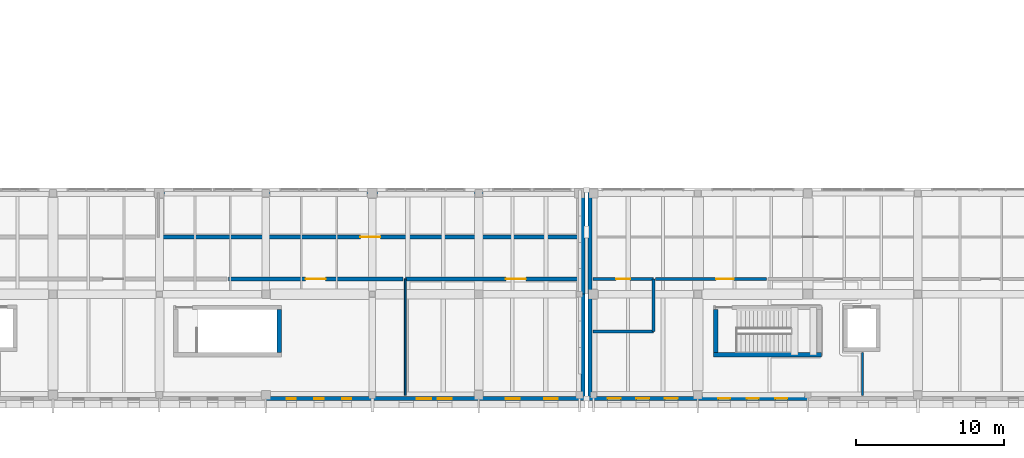
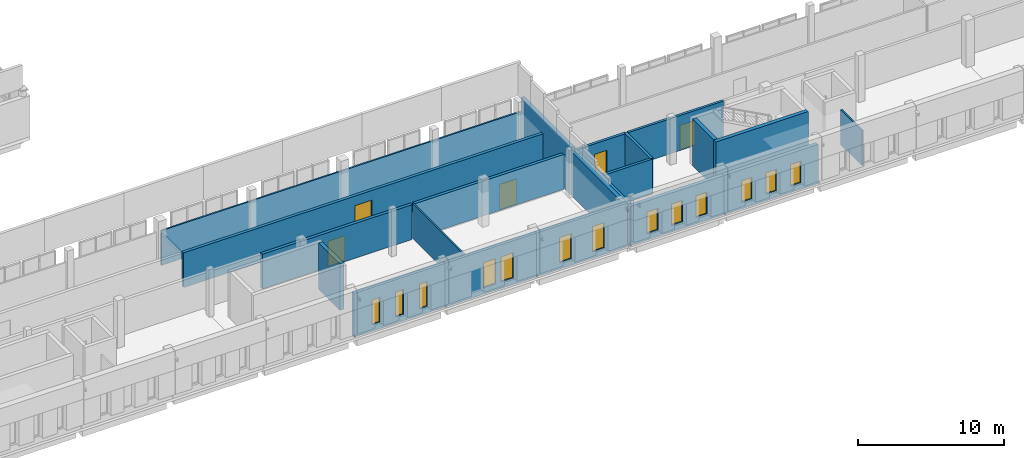
# One storey, part 54 of 76: 22 walls, 13 windows, 5 doors, 18 openings.
"""IFC4 building model written with IfcOpenShell, lengths in metres."""

from ifc_helpers import new_model, si_unit, direction, frame, frame_2d, origin, place, context, subcontext, project, spatial, rectangle, extrude, material, layer, layer_set, type_object, element, fill, save


model = new_model("IFC4")

# Units and contexts
model_context = context("Model", 3, precision=1e-05, world=origin(), true_north=direction((0.0, 1.0)))
body_context = subcontext(model_context, "Body", "Model", "MODEL_VIEW")
ifc_project = project(units=[si_unit("LENGTHUNIT", "METRE"), si_unit("AREAUNIT", "SQUARE_METRE"), si_unit("VOLUMEUNIT", "CUBIC_METRE"), si_unit("PLANEANGLEUNIT", "RADIAN"), si_unit("MASSUNIT", "GRAM", prefix="KILO")], contexts=[model_context])

# Site, building, storey
site_placement = place(None, origin())
site = spatial("IfcSite", under=ifc_project, at=site_placement, CompositionType="ELEMENT")
building_placement = place(site_placement, origin())
building = spatial("IfcBuilding", under=site, at=building_placement, Name="Vardoun Plaza Health Centre", CompositionType="ELEMENT")
storey_placement = place(building_placement, frame((0.0, 0.0, 4.5)))
storey = spatial("IfcBuildingStorey", under=building, at=storey_placement, Name="L01", CompositionType="ELEMENT", Elevation=4.5)

# Walls
ifc_material_1 = material(Name="Concrete C40/50", Category="concrete")
ifc_layer_1 = layer(ifc_material_1, 0.300048828125)
ifc_layer_set_1 = layer_set([ifc_layer_1], Name="Concrete C40/50")
wall_type_1 = type_object("IfcWallType", Name="SW-01", PredefinedType="SHEAR", material=ifc_layer_set_1)
wall_1_placement = place(storey_placement, frame((84.800048828125, 10.64990234375, 0.0), z_axis=(0.0, 0.0, 1.0), x_axis=(0.0, -1.0, 0.0)))
element("IfcWall", 1, at=wall_1_placement, inside=storey, type_object=wall_type_1, Name="Core C7 L01 Shear Wall E", PredefinedType="SHEAR", context=body_context, shape_type="SweptSolid", body=[
    extrude(rectangle(XDim=2.89990234375, YDim=0.300048828125, at=frame_2d((1.449951171875, 0.0))), origin(), (0.0, 0.0, 1.0), 3.885009765625),
])
wall_2_placement = place(storey_placement, frame((121.449951171875, 7.60009765625, 0.0), z_axis=(0.0, 0.0, 1.0), x_axis=(-1.0, 0.0, 0.0)))
element("IfcWall", 2, at=wall_2_placement, inside=storey, type_object=wall_type_1, Name="Core C8 L01 Shear Wall S", PredefinedType="SHEAR", context=body_context, shape_type="SweptSolid", body=[
    extrude(rectangle(XDim=7.300048828125, YDim=0.300048828125, at=frame_2d((3.64990234375, 0.0))), origin(), (0.0, 0.0, 1.0), 3.905029296875),
])
wall_3_placement = place(storey_placement, frame((114.300048828125, 7.75, 0.0), z_axis=(0.0, 0.0, 1.0), x_axis=(0.0, 1.0, 0.0)))
element("IfcWall", 3, at=wall_3_placement, inside=storey, type_object=wall_type_1, Name="Core C8 L01 Shear Wall W", PredefinedType="SHEAR", context=body_context, shape_type="SweptSolid", body=[
    extrude(rectangle(XDim=2.89990234375, YDim=0.300048828125, at=frame_2d((1.449951171875, 0.0))), origin(), (0.0, 0.0, 1.0), 3.905029296875),
])
ifc_material_2 = material(Name="Pale Limestone Concrete C35/45", Category="masonry")
ifc_layer_2 = layer(ifc_material_2, 0.280029296875)
ifc_layer_set_2 = layer_set([ifc_layer_2], Name="Pale Limestone Concrete C35/45")
wall_type_2 = type_object("IfcWallType", Name="EW-05", PredefinedType="STANDARD", material=ifc_layer_set_2)
wall_4_placement = place(storey_placement, frame((105.340087890625, 18.6201171875, 0.0), z_axis=(0.0, 0.0, 1.0), x_axis=(0.0, -1.0, 0.0)))
element("IfcWall", 4, at=wall_4_placement, inside=storey, type_object=wall_type_2, Name="V4 L01 Exterior Wall EW-V4-336", PredefinedType="STANDARD", context=body_context, shape_type="SweptSolid", body=[
    extrude(rectangle(XDim=6.920166015625, YDim=0.280029296875, at=frame_2d((3.4599609375, 0.0))), origin(), (0.0, 0.0, 1.0), 3.9951171875),
])
wall_5_placement = place(storey_placement, frame((105.340087890625, 11.699951171875, 0.0), z_axis=(0.0, 0.0, 1.0), x_axis=(0.0, -1.0, 0.0)))
element("IfcWall", 5, at=wall_5_placement, inside=storey, type_object=wall_type_2, Name="V4 L01 Exterior Wall EW-V4-337", PredefinedType="STANDARD", context=body_context, shape_type="SweptSolid", body=[
    extrude(rectangle(XDim=6.919921875, YDim=0.280029296875, at=frame_2d((3.4599609375, 0.0))), origin(), (0.0, 0.0, 1.0), 3.65576171875),
])

# Wall, openings, windows
wall_6_placement = place(storey_placement, frame((105.47998046875, 4.639892578125, 0.0), z_axis=(0.0, 0.0, 1.0), x_axis=(-1.0, 0.0, 0.0)))
wall_6 = element("IfcWall", 6, at=wall_6_placement, inside=storey, type_object=wall_type_2, Name="V4 L01 Exterior Wall EW-V4-338", PredefinedType="STANDARD", context=body_context, shape_type="SweptSolid", body=[
    extrude(rectangle(XDim=7.199951171875, YDim=0.280029296875, at=frame_2d((3.60009765625, 0.0))), origin(), (0.0, 0.0, 1.0), 3.65576171875),
])
opening_1_placement = place(wall_6_placement, frame((1.843994140625, 0.0, 0.550048828125)))
opening_1 = element("IfcOpeningElement", 7, at=opening_1_placement, cuts=wall_6, Name="Opening W-19-006", PredefinedType="OPENING", context=body_context, shape_type="SweptSolid", body=[
    extrude(rectangle(XDim=0.919921875, YDim=2.10009765625, at=frame_2d((0.4599609375, 1.050048828125))), frame((0.0, 0.14013671875, 0.0), z_axis=(0.0, -1.0, 0.0), x_axis=(1.0, 0.0, 0.0)), (0.0, 0.0, 1.0), 0.280029296875),
])
opening_2_placement = place(wall_6_placement, frame((4.43603515625, 0.0, 0.550048828125)))
opening_2 = element("IfcOpeningElement", 8, at=opening_2_placement, cuts=wall_6, Name="Opening W-19-007", PredefinedType="OPENING", context=body_context, shape_type="SweptSolid", body=[
    extrude(rectangle(XDim=0.919921875, YDim=2.10009765625, at=frame_2d((0.4599609375, 1.050048828125))), frame((0.0, 0.14013671875, 0.0), z_axis=(0.0, -1.0, 0.0), x_axis=(1.0, 0.0, 0.0)), (0.0, 0.0, 1.0), 0.280029296875),
])
ifc_material_3 = material(Name="Aluminium Alloy EN AW-6063-T6 and Low-E Glass", Category="aluminium")
window_type_1 = type_object("IfcWindowType", Name="W-19", PartitioningType="DOUBLE_PANEL_VERTICAL", PredefinedType="WINDOW", material=ifc_material_3)
window_1_placement = place(opening_1_placement, origin())
window_1 = element("IfcWindow", 9, at=window_1_placement, inside=storey, type_object=window_type_1, Name="V4 L01 Deep-Punched Slot Window W-19-523", OverallHeight=2.10009765625, OverallWidth=0.919921875, PartitioningType="DOUBLE_PANEL_VERTICAL", PredefinedType="WINDOW", context=body_context, shape_type="SweptSolid", body=[
    extrude(rectangle(XDim=0.919921875, YDim=2.10009765625, at=frame_2d((0.4599609375, 1.050048828125))), frame((0.0, 0.030029296875, 0.0), z_axis=(0.0, -1.0, 0.0), x_axis=(1.0, 0.0, 0.0)), (0.0, 0.0, 1.0), 0.06005859375),
])
fill(opening_1, window_1)
window_2_placement = place(opening_2_placement, origin())
window_2 = element("IfcWindow", 10, at=window_2_placement, inside=storey, type_object=window_type_1, Name="V4 L01 Deep-Punched Slot Window W-19-524", OverallHeight=2.10009765625, OverallWidth=0.919921875, PartitioningType="DOUBLE_PANEL_VERTICAL", PredefinedType="WINDOW", context=body_context, shape_type="SweptSolid", body=[
    extrude(rectangle(XDim=0.919921875, YDim=2.10009765625, at=frame_2d((0.4599609375, 1.050048828125))), frame((0.0, 0.030029296875, 0.0), z_axis=(0.0, -1.0, 0.0), x_axis=(1.0, 0.0, 0.0)), (0.0, 0.0, 1.0), 0.06005859375),
])
fill(opening_2, window_2)

wall_7_placement = place(storey_placement, frame((98.280029296875, 4.639892578125, 0.0), z_axis=(0.0, 0.0, 1.0), x_axis=(-1.0, 0.0, 0.0)))
wall_7 = element("IfcWall", 11, at=wall_7_placement, inside=storey, type_object=wall_type_2, Name="V4 L01 Exterior Wall EW-V4-339", PredefinedType="STANDARD", context=body_context, shape_type="SweptSolid", body=[
    extrude(rectangle(XDim=7.199951171875, YDim=0.280029296875, at=frame_2d((3.60009765625, 0.0))), origin(), (0.0, 0.0, 1.0), 3.65576171875),
])
opening_3_placement = place(wall_7_placement, frame((1.823974609375, 0.0, 0.550048828125)))
opening_3 = element("IfcOpeningElement", 12, at=opening_3_placement, cuts=wall_7, Name="Opening W-20-006", PredefinedType="OPENING", context=body_context, shape_type="SweptSolid", body=[
    extrude(rectangle(XDim=0.9599609375, YDim=2.10009765625, at=frame_2d((0.47998046875, 1.050048828125))), frame((0.0, 0.14013671875, 0.0), z_axis=(0.0, -1.0, 0.0), x_axis=(1.0, 0.0, 0.0)), (0.0, 0.0, 1.0), 0.280029296875),
])
opening_4_placement = place(wall_7_placement, frame((3.216064453125, 0.0, 0.550048828125)))
opening_4 = element("IfcOpeningElement", 13, at=opening_4_placement, cuts=wall_7, Name="Opening W-20-007", PredefinedType="OPENING", context=body_context, shape_type="SweptSolid", body=[
    extrude(rectangle(XDim=0.9599609375, YDim=2.10009765625, at=frame_2d((0.47998046875, 1.050048828125))), frame((0.0, 0.14013671875, 0.0), z_axis=(0.0, -1.0, 0.0), x_axis=(1.0, 0.0, 0.0)), (0.0, 0.0, 1.0), 0.280029296875),
])
ifc_material_4 = material(Name="Aluminium Alloy EN AW-6063-T6 and Low-E Glass", Category="aluminium")
window_type_2 = type_object("IfcWindowType", Name="W-20", PartitioningType="DOUBLE_PANEL_VERTICAL", PredefinedType="WINDOW", material=ifc_material_4)
window_3_placement = place(opening_3_placement, origin())
window_3 = element("IfcWindow", 14, at=window_3_placement, inside=storey, type_object=window_type_2, Name="V4 L01 Deep-Punched Slot Window W-20-525", OverallHeight=2.10009765625, OverallWidth=0.9599609375, PartitioningType="DOUBLE_PANEL_VERTICAL", PredefinedType="WINDOW", context=body_context, shape_type="SweptSolid", body=[
    extrude(rectangle(XDim=0.9599609375, YDim=2.10009765625, at=frame_2d((0.47998046875, 1.050048828125))), frame((0.0, 0.030029296875, 0.0), z_axis=(0.0, -1.0, 0.0), x_axis=(1.0, 0.0, 0.0)), (0.0, 0.0, 1.0), 0.06005859375),
])
fill(opening_3, window_3)
window_4_placement = place(opening_4_placement, origin())
window_4 = element("IfcWindow", 15, at=window_4_placement, inside=storey, type_object=window_type_2, Name="V4 L01 Deep-Punched Slot Window W-20-526", OverallHeight=2.10009765625, OverallWidth=0.9599609375, PartitioningType="DOUBLE_PANEL_VERTICAL", PredefinedType="WINDOW", context=body_context, shape_type="SweptSolid", body=[
    extrude(rectangle(XDim=0.9599609375, YDim=2.10009765625, at=frame_2d((0.47998046875, 1.050048828125))), frame((0.0, 0.030029296875, 0.0), z_axis=(0.0, -1.0, 0.0), x_axis=(1.0, 0.0, 0.0)), (0.0, 0.0, 1.0), 0.06005859375),
])
fill(opening_4, window_4)

wall_8_placement = place(storey_placement, frame((91.080078125, 4.639892578125, 0.0), z_axis=(0.0, 0.0, 1.0), x_axis=(-1.0, 0.0, 0.0)))
wall_8 = element("IfcWall", 16, at=wall_8_placement, inside=storey, type_object=wall_type_2, Name="V4 L01 Exterior Wall EW-V4-340", PredefinedType="STANDARD", context=body_context, shape_type="SweptSolid", body=[
    extrude(rectangle(XDim=7.2001953125, YDim=0.280029296875, at=frame_2d((3.60009765625, 0.0))), origin(), (0.0, 0.0, 1.0), 3.65576171875),
])
opening_5_placement = place(wall_8_placement, frame((1.41796875, 0.0, 0.550048828125)))
opening_5 = element("IfcOpeningElement", 17, at=opening_5_placement, cuts=wall_8, Name="Opening W-21-011", PredefinedType="OPENING", context=body_context, shape_type="SweptSolid", body=[
    extrude(rectangle(XDim=0.6201171875, YDim=2.080078125, at=frame_2d((0.31005859375, 1.0400390625))), frame((0.0, 0.14013671875, 0.0), z_axis=(0.0, -1.0, 0.0), x_axis=(1.0, 0.0, 0.0)), (0.0, 0.0, 1.0), 0.280029296875),
])
opening_6_placement = place(wall_8_placement, frame((3.2900390625, 0.0, 0.550048828125)))
opening_6 = element("IfcOpeningElement", 18, at=opening_6_placement, cuts=wall_8, Name="Opening W-21-012", PredefinedType="OPENING", context=body_context, shape_type="SweptSolid", body=[
    extrude(rectangle(XDim=0.6201171875, YDim=2.080078125, at=frame_2d((0.31005859375, 1.0400390625))), frame((0.0, 0.14013671875, 0.0), z_axis=(0.0, -1.0, 0.0), x_axis=(1.0, 0.0, 0.0)), (0.0, 0.0, 1.0), 0.280029296875),
])
opening_7_placement = place(wall_8_placement, frame((5.162109375, 0.0, 0.550048828125)))
opening_7 = element("IfcOpeningElement", 19, at=opening_7_placement, cuts=wall_8, Name="Opening W-21-013", PredefinedType="OPENING", context=body_context, shape_type="SweptSolid", body=[
    extrude(rectangle(XDim=0.6201171875, YDim=2.080078125, at=frame_2d((0.31005859375, 1.0400390625))), frame((0.0, 0.14013671875, 0.0), z_axis=(0.0, -1.0, 0.0), x_axis=(1.0, 0.0, 0.0)), (0.0, 0.0, 1.0), 0.280029296875),
])
ifc_material_5 = material(Name="Aluminium Alloy EN AW-6063-T6 and Low-E Glass", Category="aluminium")
window_type_3 = type_object("IfcWindowType", Name="W-21", PartitioningType="SINGLE_PANEL", PredefinedType="WINDOW", material=ifc_material_5)
window_5_placement = place(opening_5_placement, origin())
window_5 = element("IfcWindow", 20, at=window_5_placement, inside=storey, type_object=window_type_3, Name="V4 L01 Deep-Punched Slot Window W-21-527", OverallHeight=2.080078125, OverallWidth=0.6201171875, PartitioningType="SINGLE_PANEL", PredefinedType="WINDOW", context=body_context, shape_type="SweptSolid", body=[
    extrude(rectangle(XDim=0.6201171875, YDim=2.080078125, at=frame_2d((0.31005859375, 1.0400390625))), frame((0.0, 0.030029296875, 0.0), z_axis=(0.0, -1.0, 0.0), x_axis=(1.0, 0.0, 0.0)), (0.0, 0.0, 1.0), 0.06005859375),
])
fill(opening_5, window_5)
window_6_placement = place(opening_6_placement, origin())
window_6 = element("IfcWindow", 21, at=window_6_placement, inside=storey, type_object=window_type_3, Name="V4 L01 Deep-Punched Slot Window W-21-528", OverallHeight=2.080078125, OverallWidth=0.6201171875, PartitioningType="SINGLE_PANEL", PredefinedType="WINDOW", context=body_context, shape_type="SweptSolid", body=[
    extrude(rectangle(XDim=0.6201171875, YDim=2.080078125, at=frame_2d((0.31005859375, 1.0400390625))), frame((0.0, 0.030029296875, 0.0), z_axis=(0.0, -1.0, 0.0), x_axis=(1.0, 0.0, 0.0)), (0.0, 0.0, 1.0), 0.06005859375),
])
fill(opening_6, window_6)
window_7_placement = place(opening_7_placement, origin())
window_7 = element("IfcWindow", 22, at=window_7_placement, inside=storey, type_object=window_type_3, Name="V4 L01 Deep-Punched Slot Window W-21-529", OverallHeight=2.080078125, OverallWidth=0.6201171875, PartitioningType="SINGLE_PANEL", PredefinedType="WINDOW", context=body_context, shape_type="SweptSolid", body=[
    extrude(rectangle(XDim=0.6201171875, YDim=2.080078125, at=frame_2d((0.31005859375, 1.0400390625))), frame((0.0, 0.030029296875, 0.0), z_axis=(0.0, -1.0, 0.0), x_axis=(1.0, 0.0, 0.0)), (0.0, 0.0, 1.0), 0.06005859375),
])
fill(opening_7, window_7)

ifc_material_6 = material(Name="Pale Limestone Concrete C35/45", Category="masonry")
ifc_layer_3 = layer(ifc_material_6, 0.294921875)
ifc_layer_set_3 = layer_set([ifc_layer_3], Name="Pale Limestone Concrete C35/45")
wall_type_3 = type_object("IfcWallType", Name="EW-04", PredefinedType="STANDARD", material=ifc_layer_set_3)
wall_9_placement = place(storey_placement, frame((120.5400390625, 4.6474609375, 0.0), z_axis=(0.0, 0.0, 1.0), x_axis=(-1.0, 0.0, 0.0)))
wall_9 = element("IfcWall", 23, at=wall_9_placement, inside=storey, type_object=wall_type_3, Name="V5 L01 Exterior Wall EW-V5-388", PredefinedType="STANDARD", context=body_context, shape_type="SweptSolid", body=[
    extrude(rectangle(XDim=7.43994140625, YDim=0.294921875, at=frame_2d((3.719970703125, 0.0))), origin(), (0.0, 0.0, 1.0), 3.27001953125),
])
opening_8_placement = place(wall_9_placement, frame((1.385498046875, 0.0, 0.550048828125)))
opening_8 = element("IfcOpeningElement", 24, at=opening_8_placement, cuts=wall_9, Name="Opening W-27-022", PredefinedType="OPENING", context=body_context, shape_type="SweptSolid", body=[
    extrude(rectangle(XDim=0.800048828125, YDim=1.800048828125, at=frame_2d((0.39990234375, 0.89990234375))), frame((0.0, 0.1474609375, 0.0), z_axis=(0.0, -1.0, 0.0), x_axis=(1.0, 0.0, 0.0)), (0.0, 0.0, 1.0), 0.294921875),
])
opening_9_placement = place(wall_9_placement, frame((3.320068359375, 0.0, 0.550048828125)))
opening_9 = element("IfcOpeningElement", 25, at=opening_9_placement, cuts=wall_9, Name="Opening W-27-023", PredefinedType="OPENING", context=body_context, shape_type="SweptSolid", body=[
    extrude(rectangle(XDim=0.800048828125, YDim=1.800048828125, at=frame_2d((0.39990234375, 0.89990234375))), frame((0.0, 0.1474609375, 0.0), z_axis=(0.0, -1.0, 0.0), x_axis=(1.0, 0.0, 0.0)), (0.0, 0.0, 1.0), 0.294921875),
])
opening_10_placement = place(wall_9_placement, frame((5.25439453125, 0.0, 0.550048828125)))
opening_10 = element("IfcOpeningElement", 26, at=opening_10_placement, cuts=wall_9, Name="Opening W-27-024", PredefinedType="OPENING", context=body_context, shape_type="SweptSolid", body=[
    extrude(rectangle(XDim=0.800048828125, YDim=1.800048828125, at=frame_2d((0.39990234375, 0.89990234375))), frame((0.0, 0.1474609375, 0.0), z_axis=(0.0, -1.0, 0.0), x_axis=(1.0, 0.0, 0.0)), (0.0, 0.0, 1.0), 0.294921875),
])
ifc_material_7 = material(Name="Aluminium Alloy EN AW-6063-T6 and Low-E Glass", Category="aluminium")
window_type_4 = type_object("IfcWindowType", Name="W-27", PartitioningType="SINGLE_PANEL", PredefinedType="WINDOW", material=ifc_material_7)
window_8_placement = place(opening_8_placement, origin())
window_8 = element("IfcWindow", 27, at=window_8_placement, inside=storey, type_object=window_type_4, Name="V5 L01 Deep-Punched Slot Window W-27-590", OverallHeight=1.800048828125, OverallWidth=0.800048828125, PartitioningType="SINGLE_PANEL", PredefinedType="WINDOW", context=body_context, shape_type="SweptSolid", body=[
    extrude(rectangle(XDim=0.800048828125, YDim=1.800048828125, at=frame_2d((0.39990234375, 0.89990234375))), frame((0.0, 0.030029296875, 0.0), z_axis=(0.0, -1.0, 0.0), x_axis=(1.0, 0.0, 0.0)), (0.0, 0.0, 1.0), 0.06005859375),
])
fill(opening_8, window_8)
window_9_placement = place(opening_9_placement, origin())
window_9 = element("IfcWindow", 28, at=window_9_placement, inside=storey, type_object=window_type_4, Name="V5 L01 Deep-Punched Slot Window W-27-591", OverallHeight=1.800048828125, OverallWidth=0.800048828125, PartitioningType="SINGLE_PANEL", PredefinedType="WINDOW", context=body_context, shape_type="SweptSolid", body=[
    extrude(rectangle(XDim=0.800048828125, YDim=1.800048828125, at=frame_2d((0.39990234375, 0.89990234375))), frame((0.0, 0.030029296875, 0.0), z_axis=(0.0, -1.0, 0.0), x_axis=(1.0, 0.0, 0.0)), (0.0, 0.0, 1.0), 0.06005859375),
])
fill(opening_9, window_9)
window_10_placement = place(opening_10_placement, origin())
window_10 = element("IfcWindow", 29, at=window_10_placement, inside=storey, type_object=window_type_4, Name="V5 L01 Deep-Punched Slot Window W-27-592", OverallHeight=1.800048828125, OverallWidth=0.800048828125, PartitioningType="SINGLE_PANEL", PredefinedType="WINDOW", context=body_context, shape_type="SweptSolid", body=[
    extrude(rectangle(XDim=0.800048828125, YDim=1.800048828125, at=frame_2d((0.39990234375, 0.89990234375))), frame((0.0, 0.030029296875, 0.0), z_axis=(0.0, -1.0, 0.0), x_axis=(1.0, 0.0, 0.0)), (0.0, 0.0, 1.0), 0.06005859375),
])
fill(opening_10, window_10)

wall_10_placement = place(storey_placement, frame((113.10009765625, 4.6474609375, 0.0), z_axis=(0.0, 0.0, 1.0), x_axis=(-1.0, 0.0, 0.0)))
wall_10 = element("IfcWall", 30, at=wall_10_placement, inside=storey, type_object=wall_type_3, Name="V5 L01 Exterior Wall EW-V5-389", PredefinedType="STANDARD", context=body_context, shape_type="SweptSolid", body=[
    extrude(rectangle(XDim=7.440185546875, YDim=0.294921875, at=frame_2d((3.72021484375, 0.0))), origin(), (0.0, 0.0, 1.0), 3.27001953125),
])
opening_11_placement = place(wall_10_placement, frame((1.345703125, 0.0, 0.550048828125)))
opening_11 = element("IfcOpeningElement", 31, at=opening_11_placement, cuts=wall_10, Name="Opening W-28-017", PredefinedType="OPENING", context=body_context, shape_type="SweptSolid", body=[
    extrude(rectangle(XDim=0.8798828125, YDim=1.800048828125, at=frame_2d((0.43994140625, 0.89990234375))), frame((0.0, 0.1474609375, 0.0), z_axis=(0.0, -1.0, 0.0), x_axis=(1.0, 0.0, 0.0)), (0.0, 0.0, 1.0), 0.294921875),
])
opening_12_placement = place(wall_10_placement, frame((3.280029296875, 0.0, 0.550048828125)))
opening_12 = element("IfcOpeningElement", 32, at=opening_12_placement, cuts=wall_10, Name="Opening W-28-018", PredefinedType="OPENING", context=body_context, shape_type="SweptSolid", body=[
    extrude(rectangle(XDim=0.8798828125, YDim=1.800048828125, at=frame_2d((0.43994140625, 0.89990234375))), frame((0.0, 0.1474609375, 0.0), z_axis=(0.0, -1.0, 0.0), x_axis=(1.0, 0.0, 0.0)), (0.0, 0.0, 1.0), 0.294921875),
])
opening_13_placement = place(wall_10_placement, frame((5.21435546875, 0.0, 0.550048828125)))
opening_13 = element("IfcOpeningElement", 33, at=opening_13_placement, cuts=wall_10, Name="Opening W-28-019", PredefinedType="OPENING", context=body_context, shape_type="SweptSolid", body=[
    extrude(rectangle(XDim=0.8798828125, YDim=1.800048828125, at=frame_2d((0.43994140625, 0.89990234375))), frame((0.0, 0.1474609375, 0.0), z_axis=(0.0, -1.0, 0.0), x_axis=(1.0, 0.0, 0.0)), (0.0, 0.0, 1.0), 0.294921875),
])
ifc_material_8 = material(Name="Aluminium Alloy EN AW-6063-T6 and Low-E Glass", Category="aluminium")
window_type_5 = type_object("IfcWindowType", Name="W-28", PartitioningType="SINGLE_PANEL", PredefinedType="WINDOW", material=ifc_material_8)
window_11_placement = place(opening_11_placement, origin())
window_11 = element("IfcWindow", 34, at=window_11_placement, inside=storey, type_object=window_type_5, Name="V5 L01 Deep-Punched Slot Window W-28-593", OverallHeight=1.800048828125, OverallWidth=0.8798828125, PartitioningType="SINGLE_PANEL", PredefinedType="WINDOW", context=body_context, shape_type="SweptSolid", body=[
    extrude(rectangle(XDim=0.8798828125, YDim=1.800048828125, at=frame_2d((0.43994140625, 0.89990234375))), frame((0.0, 0.030029296875, 0.0), z_axis=(0.0, -1.0, 0.0), x_axis=(1.0, 0.0, 0.0)), (0.0, 0.0, 1.0), 0.06005859375),
])
fill(opening_11, window_11)
window_12_placement = place(opening_12_placement, origin())
window_12 = element("IfcWindow", 35, at=window_12_placement, inside=storey, type_object=window_type_5, Name="V5 L01 Deep-Punched Slot Window W-28-594", OverallHeight=1.800048828125, OverallWidth=0.8798828125, PartitioningType="SINGLE_PANEL", PredefinedType="WINDOW", context=body_context, shape_type="SweptSolid", body=[
    extrude(rectangle(XDim=0.8798828125, YDim=1.800048828125, at=frame_2d((0.43994140625, 0.89990234375))), frame((0.0, 0.030029296875, 0.0), z_axis=(0.0, -1.0, 0.0), x_axis=(1.0, 0.0, 0.0)), (0.0, 0.0, 1.0), 0.06005859375),
])
fill(opening_12, window_12)
window_13_placement = place(opening_13_placement, origin())
window_13 = element("IfcWindow", 36, at=window_13_placement, inside=storey, type_object=window_type_5, Name="V5 L01 Deep-Punched Slot Window W-28-595", OverallHeight=1.800048828125, OverallWidth=0.8798828125, PartitioningType="SINGLE_PANEL", PredefinedType="WINDOW", context=body_context, shape_type="SweptSolid", body=[
    extrude(rectangle(XDim=0.8798828125, YDim=1.800048828125, at=frame_2d((0.43994140625, 0.89990234375))), frame((0.0, 0.030029296875, 0.0), z_axis=(0.0, -1.0, 0.0), x_axis=(1.0, 0.0, 0.0)), (0.0, 0.0, 1.0), 0.06005859375),
])
fill(opening_13, window_13)

# Walls
for number, where, z_axis, x_axis, name in (
    (37, (105.8076171875, 4.794921875, 0.0), (0.0, 0.0, 1.0), (0.0, 1.0, 0.0), "V5 L01 Exterior Wall EW-V5-390"),
    (38, (105.8076171875, 11.699951171875, 0.0), (0.0, 0.0, 1.0), (0.0, 1.0, 0.0), "V5 L01 Exterior Wall EW-V5-391"),
):
    element("IfcWall", number, at=place(storey_placement, frame(where, z_axis=z_axis, x_axis=x_axis)), inside=storey, type_object=wall_type_3, Name=name, PredefinedType="STANDARD", context=body_context, shape_type="SweptSolid", body=[
        extrude(rectangle(XDim=6.905029296875, YDim=0.294921875, at=frame_2d((3.45263671875, 0.0))), origin(), (0.0, 0.0, 1.0), 3.2900390625),
    ])
ifc_material_9 = material(Name="Standard Clinical Sub-Partition", Category="steel")
ifc_layer_4 = layer(ifc_material_9, 0.125)
ifc_layer_set_4 = layer_set([ifc_layer_4], Name="Standard Clinical Sub-Partition")
wall_type_4 = type_object("IfcWallType", Name="IW-11", PredefinedType="PARTITIONING", material=ifc_layer_set_4)
wall_11_placement = place(storey_placement, frame((93.31494140625, 4.85009765625, 0.0), z_axis=(0.0, 0.0, 1.0), x_axis=(0.0, 1.0, 0.0)))
element("IfcWall", 39, at=wall_11_placement, inside=storey, type_object=wall_type_4, Name="Haematology and Biochemistry Lab Enclosure Partition", PredefinedType="PARTITIONING", context=body_context, shape_type="SweptSolid", body=[
    extrude(rectangle(XDim=7.8798828125, YDim=0.125, at=frame_2d((3.93994140625, 0.0))), origin(), (0.0, 0.0, 1.0), 2.905029296875),
])
wall_12_placement = place(storey_placement, frame((76.760009765625, 18.550048828125, 0.0), z_axis=(0.0, 0.0, 1.0), x_axis=(1.0, 0.0, 0.0)))
element("IfcWall", 40, at=wall_12_placement, inside=storey, type_object=wall_type_4, Name="Diagnostic Ultrasound Room 1 Enclosure Partition", PredefinedType="PARTITIONING", context=body_context, shape_type="SweptSolid", body=[
    extrude(rectangle(XDim=28.369873046875, YDim=0.125, at=frame_2d((14.18505859375, 0.0))), origin(), (0.0, 0.0, 1.0), 2.905029296875),
])
wall_13_placement = place(storey_placement, frame((124.239990234375, 4.85009765625, 0.0), z_axis=(0.0, 0.0, 1.0), x_axis=(0.0, 1.0, 0.0)))
element("IfcWall", 41, at=wall_13_placement, inside=storey, type_object=wall_type_4, Name="Theatre Sterile Supply Unit TSSU Enclosure Partition", PredefinedType="PARTITIONING", context=body_context, shape_type="SweptSolid", body=[
    extrude(rectangle(XDim=2.89990234375, YDim=0.125, at=frame_2d((1.449951171875, 0.0))), origin(), (0.0, 0.0, 1.0), 2.925048828125),
])

# Wall, opening, door
ifc_material_10 = material(Name="Concrete C35/45", Category="concrete")
ifc_layer_5 = layer(ifc_material_10, 0.199951171875)
ifc_layer_set_5 = layer_set([ifc_layer_5], Name="Concrete C35/45")
wall_type_5 = type_object("IfcWallType", Name="IW-01", PredefinedType="SOLIDWALL", material=ifc_layer_set_5)
wall_14_placement = place(storey_placement, frame((110.2333984375, 12.72998046875, 0.0), z_axis=(0.0, 0.0, 1.0), x_axis=(1.0, 0.0, 0.0)))
wall_14 = element("IfcWall", 42, at=wall_14_placement, inside=storey, type_object=wall_type_5, Name="Biomedical Equipment Store Partition Wall", PredefinedType="SOLIDWALL", context=body_context, shape_type="SweptSolid", body=[
    extrude(rectangle(XDim=7.526611328125, YDim=0.199951171875, at=frame_2d((3.76318359375, 0.0))), origin(), (0.0, 0.0, 1.0), 2.925048828125),
])
opening_14_placement = place(wall_14_placement, frame((4.1123046875, 0.0, 0.0)))
opening_14 = element("IfcOpeningElement", 43, at=opening_14_placement, cuts=wall_14, Name="Opening D-L01-146", PredefinedType="OPENING", context=body_context, shape_type="SweptSolid", body=[
    extrude(rectangle(XDim=1.199951171875, YDim=2.050048828125, at=frame_2d((0.60009765625, 1.02490234375))), frame((0.0, 0.10009765625, 0.0), z_axis=(0.0, -1.0, 0.0), x_axis=(1.0, 0.0, 0.0)), (0.0, 0.0, 1.0), 0.199951171875),
])
ifc_material_11 = material(Name="Antimicrobial Acoustic Timber and Steel S275JR", Category="steel")
door_type_1 = type_object("IfcDoorType", Name="FD-04", OperationType="NOTDEFINED", PredefinedType="DOOR", material=ifc_material_11)
door_1_placement = place(opening_14_placement, origin())
door_1 = element("IfcDoor", 44, at=door_1_placement, inside=storey, type_object=door_type_1, Name="Biomedical Equipment Store Door D-L01-146", OperationType="SINGLE_SWING_RIGHT", OverallHeight=2.050048828125, OverallWidth=1.199951171875, PredefinedType="DOOR", context=body_context, shape_type="SweptSolid", body=[
    extrude(rectangle(XDim=1.199951171875, YDim=2.050048828125, at=frame_2d((0.60009765625, 1.02490234375))), frame((0.0, 0.02490234375, 0.0), z_axis=(0.0, -1.0, 0.0), x_axis=(1.0, 0.0, 0.0)), (0.0, 0.0, 1.0), 0.050048828125),
])
fill(opening_14, door_1)

ifc_material_12 = material(Name="Moisture-Resistant Plumbing Chase", Category="steel")
ifc_layer_6 = layer(ifc_material_12, 0.215087890625)
ifc_layer_set_6 = layer_set([ifc_layer_6], Name="Moisture-Resistant Plumbing Chase")
wall_type_6 = type_object("IfcWallType", Name="IW-06", PredefinedType="PLUMBINGWALL", material=ifc_layer_set_6)
wall_15_placement = place(storey_placement, frame((106.010009765625, 12.72998046875, 0.0), z_axis=(0.0, 0.0, 1.0), x_axis=(1.0, 0.0, 0.0)))
wall_15 = element("IfcWall", 45, at=wall_15_placement, inside=storey, type_object=wall_type_6, Name="Accessible WC L01-V5 Partition Wall", PredefinedType="PLUMBINGWALL", context=body_context, shape_type="SweptSolid", body=[
    extrude(rectangle(XDim=4.08349609375, YDim=0.215087890625, at=frame_2d((2.041748046875, 0.0))), origin(), (0.0, 0.0, 1.0), 2.925048828125),
])
opening_15_placement = place(wall_15_placement, frame((1.56689453125, 0.0, 0.0)))
opening_15 = element("IfcOpeningElement", 46, at=opening_15_placement, cuts=wall_15, Name="Opening D-L01-141", PredefinedType="OPENING", context=body_context, shape_type="SweptSolid", body=[
    extrude(rectangle(XDim=0.949951171875, YDim=2.050048828125, at=frame_2d((0.47509765625, 1.02490234375))), frame((0.0, 0.107421875, 0.0), z_axis=(0.0, -1.0, 0.0), x_axis=(1.0, 0.0, 0.0)), (0.0, 0.0, 1.0), 0.215087890625),
])
ifc_material_13 = material(Name="Antimicrobial Acoustic Timber and Steel S275JR", Category="steel")
door_type_2 = type_object("IfcDoorType", Name="CD-07", OperationType="NOTDEFINED", PredefinedType="DOOR", material=ifc_material_13)
door_2_placement = place(opening_15_placement, origin())
door_2 = element("IfcDoor", 47, at=door_2_placement, inside=storey, type_object=door_type_2, Name="Accessible WC L01-V5 Door D-L01-141", OperationType="SINGLE_SWING_RIGHT", OverallHeight=2.050048828125, OverallWidth=0.949951171875, PredefinedType="DOOR", context=body_context, shape_type="SweptSolid", body=[
    extrude(rectangle(XDim=0.949951171875, YDim=2.050048828125, at=frame_2d((0.47509765625, 1.02490234375))), frame((0.0, 0.02490234375, 0.0), z_axis=(0.0, -1.0, 0.0), x_axis=(1.0, 0.0, 0.0)), (0.0, 0.0, 1.0), 0.050048828125),
])
fill(opening_15, door_2)

# Walls
wall_16_placement = place(storey_placement, frame((110.093505859375, 12.72998046875, 0.0), z_axis=(0.0, 0.0, 1.0), x_axis=(0.0, -1.0, 0.0)))
element("IfcWall", 48, at=wall_16_placement, inside=storey, type_object=wall_type_6, Name="Accessible WC L01-V5 Enclosure Partition", PredefinedType="PLUMBINGWALL", context=body_context, shape_type="SweptSolid", body=[
    extrude(rectangle(XDim=3.55078125, YDim=0.215087890625, at=frame_2d((1.775390625, 0.0))), origin(), (0.0, 0.0, 1.0), 2.925048828125),
])
wall_17_placement = place(storey_placement, frame((110.093505859375, 9.17919921875, 0.0), z_axis=(0.0, 0.0, 1.0), x_axis=(-1.0, 0.0, 0.0)))
element("IfcWall", 49, at=wall_17_placement, inside=storey, type_object=wall_type_6, Name="Accessible WC L01-V5 Enclosure Partition", PredefinedType="PLUMBINGWALL", context=body_context, shape_type="SweptSolid", body=[
    extrude(rectangle(XDim=4.08349609375, YDim=0.215087890625, at=frame_2d((2.041748046875, 0.0))), origin(), (0.0, 0.0, 1.0), 2.925048828125),
])

# Wall, opening, door
ifc_material_14 = material(Name="Lead-Lined Concrete C35/45", Category="concrete")
ifc_layer_7 = layer(ifc_material_14, 0.239990234375)
ifc_layer_set_7 = layer_set([ifc_layer_7], Name="Lead-Lined Concrete C35/45")
wall_type_7 = type_object("IfcWallType", Name="IW-03", PredefinedType="SOLIDWALL", material=ifc_layer_set_7)
wall_18_placement = place(storey_placement, frame((93.31494140625, 12.72998046875, 0.0), z_axis=(0.0, 0.0, 1.0), x_axis=(1.0, 0.0, 0.0)))
wall_18 = element("IfcWall", 50, at=wall_18_placement, inside=storey, type_object=wall_type_7, Name="Haematology and Biochemistry Lab Partition Wall", PredefinedType="SOLIDWALL", context=body_context, shape_type="SweptSolid", body=[
    extrude(rectangle(XDim=11.81494140625, YDim=0.239990234375, at=frame_2d((5.907470703125, 0.0))), origin(), (0.0, 0.0, 1.0), 2.905029296875),
])
opening_16_placement = place(wall_18_placement, frame((6.80224609375, 0.0, 0.0)))
opening_16 = element("IfcOpeningElement", 51, at=opening_16_placement, cuts=wall_18, Name="Opening D-L01-125", PredefinedType="OPENING", context=body_context, shape_type="SweptSolid", body=[
    extrude(rectangle(XDim=1.35009765625, YDim=2.10009765625, at=frame_2d((0.675048828125, 1.050048828125))), frame((0.0, 0.1201171875, 0.0), z_axis=(0.0, -1.0, 0.0), x_axis=(1.0, 0.0, 0.0)), (0.0, 0.0, 1.0), 0.239990234375),
])
ifc_material_15 = material(Name="Antimicrobial Acoustic Timber and Steel S275JR", Category="steel")
door_type_3 = type_object("IfcDoorType", Name="CD-02", OperationType="NOTDEFINED", PredefinedType="DOOR", material=ifc_material_15)
door_3_placement = place(opening_16_placement, origin())
door_3 = element("IfcDoor", 52, at=door_3_placement, inside=storey, type_object=door_type_3, Name="Haematology and Biochemistry Lab Door D-L01-125", OperationType="SINGLE_SWING_RIGHT", OverallHeight=2.10009765625, OverallWidth=1.35009765625, PredefinedType="DOOR", context=body_context, shape_type="SweptSolid", body=[
    extrude(rectangle(XDim=1.35009765625, YDim=2.10009765625, at=frame_2d((0.675048828125, 1.050048828125))), frame((0.0, 0.02490234375, 0.0), z_axis=(0.0, -1.0, 0.0), x_axis=(1.0, 0.0, 0.0)), (0.0, 0.0, 1.0), 0.050048828125),
])
fill(opening_16, door_3)

wall_19_placement = place(storey_placement, frame((105.1298828125, 15.570068359375, 0.0), z_axis=(0.0, 0.0, 1.0), x_axis=(-1.0, 0.0, 0.0)))
wall_19 = element("IfcWall", 53, at=wall_19_placement, inside=storey, type_object=wall_type_7, Name="Diagnostic Ultrasound Room 1 Partition Wall", PredefinedType="SOLIDWALL", context=body_context, shape_type="SweptSolid", body=[
    extrude(rectangle(XDim=28.369873046875, YDim=0.239990234375, at=frame_2d((14.18505859375, 0.0))), origin(), (0.0, 0.0, 1.0), 2.905029296875),
])
opening_17_placement = place(wall_19_placement, frame((13.510009765625, 0.0, 0.0)))
opening_17 = element("IfcOpeningElement", 54, at=opening_17_placement, cuts=wall_19, Name="Opening D-L01-127", PredefinedType="OPENING", context=body_context, shape_type="SweptSolid", body=[
    extrude(rectangle(XDim=1.35009765625, YDim=2.10009765625, at=frame_2d((0.675048828125, 1.050048828125))), frame((0.0, 0.1201171875, 0.0), z_axis=(0.0, -1.0, 0.0), x_axis=(1.0, 0.0, 0.0)), (0.0, 0.0, 1.0), 0.239990234375),
])
door_4_placement = place(opening_17_placement, origin())
door_4 = element("IfcDoor", 55, at=door_4_placement, inside=storey, type_object=door_type_3, Name="Diagnostic Ultrasound Room 1 Door D-L01-127", OperationType="SINGLE_SWING_LEFT", OverallHeight=2.10009765625, OverallWidth=1.35009765625, PredefinedType="DOOR", context=body_context, shape_type="SweptSolid", body=[
    extrude(rectangle(XDim=1.35009765625, YDim=2.10009765625, at=frame_2d((0.675048828125, 1.050048828125))), frame((0.0, 0.02490234375, 0.0), z_axis=(0.0, -1.0, 0.0), x_axis=(1.0, 0.0, 0.0)), (0.0, 0.0, 1.0), 0.050048828125),
])
fill(opening_17, door_4)

wall_20_placement = place(storey_placement, frame((81.340087890625, 12.72998046875, 0.0), z_axis=(0.0, 0.0, 1.0), x_axis=(1.0, 0.0, 0.0)))
wall_20 = element("IfcWall", 56, at=wall_20_placement, inside=storey, type_object=wall_type_7, Name="Diagnostic Ultrasound Room 2 Partition Wall", PredefinedType="SOLIDWALL", context=body_context, shape_type="SweptSolid", body=[
    extrude(rectangle(XDim=11.81494140625, YDim=0.239990234375, at=frame_2d((5.907470703125, 0.0))), origin(), (0.0, 0.0, 1.0), 2.905029296875),
])
opening_18_placement = place(wall_20_placement, frame((5.232421875, 0.0, 0.0)))
opening_18 = element("IfcOpeningElement", 57, at=opening_18_placement, cuts=wall_20, Name="Opening D-L01-128", PredefinedType="OPENING", context=body_context, shape_type="SweptSolid", body=[
    extrude(rectangle(XDim=1.35009765625, YDim=2.10009765625, at=frame_2d((0.675048828125, 1.050048828125))), frame((0.0, 0.1201171875, 0.0), z_axis=(0.0, -1.0, 0.0), x_axis=(1.0, 0.0, 0.0)), (0.0, 0.0, 1.0), 0.239990234375),
])
door_5_placement = place(opening_18_placement, origin())
door_5 = element("IfcDoor", 58, at=door_5_placement, inside=storey, type_object=door_type_3, Name="Diagnostic Ultrasound Room 2 Door D-L01-128", OperationType="SINGLE_SWING_RIGHT", OverallHeight=2.10009765625, OverallWidth=1.35009765625, PredefinedType="DOOR", context=body_context, shape_type="SweptSolid", body=[
    extrude(rectangle(XDim=1.35009765625, YDim=2.10009765625, at=frame_2d((0.675048828125, 1.050048828125))), frame((0.0, 0.02490234375, 0.0), z_axis=(0.0, -1.0, 0.0), x_axis=(1.0, 0.0, 0.0)), (0.0, 0.0, 1.0), 0.050048828125),
])
fill(opening_18, door_5)

save(model, "model.ifc")
